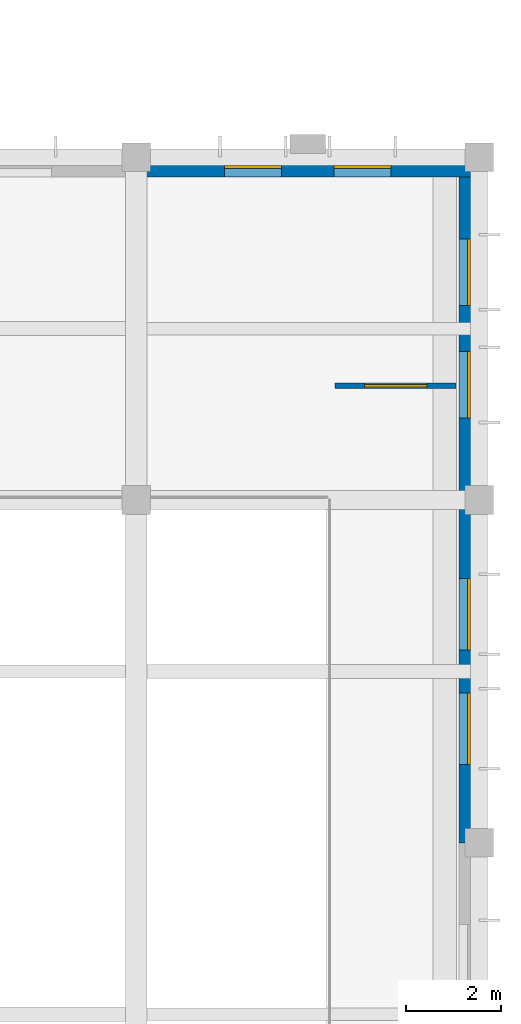
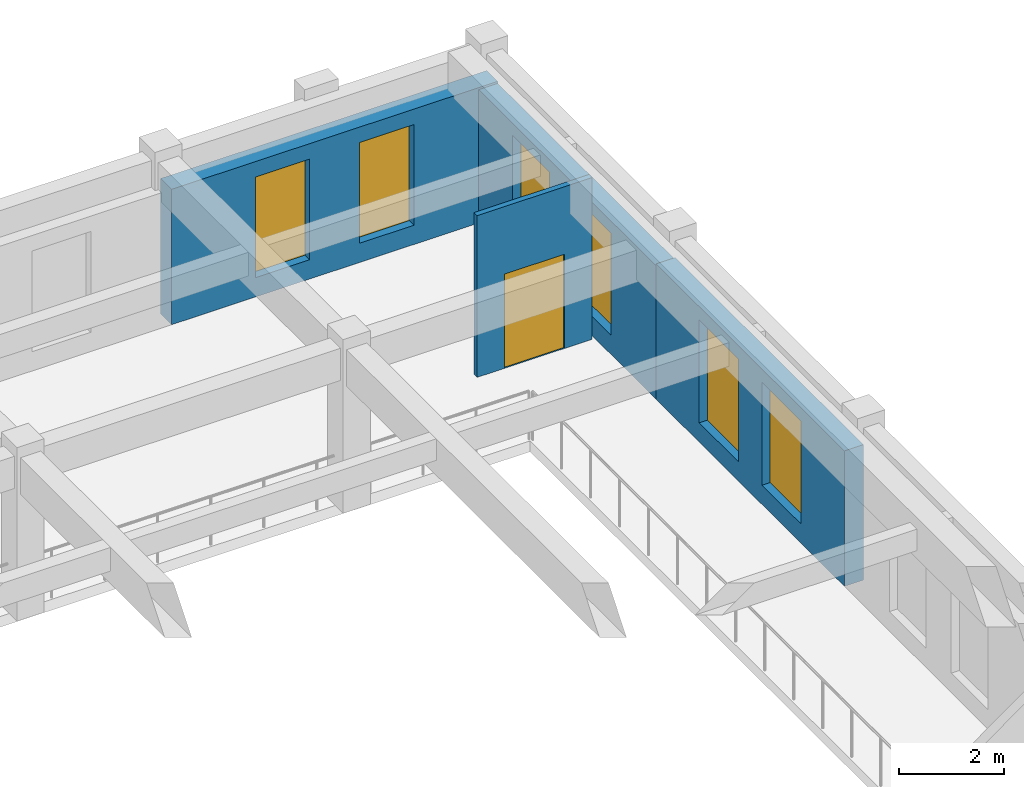
# One storey, part 49 of 88: 6 windows, 4 walls, 1 door, 7 openings.
"""IFC4 building model written with IfcOpenShell, lengths in metres."""

import ifcopenshell
import ifcopenshell.guid

model = None  # the IFC model being written
_history = None  # IfcOwnerHistory: only IFC2X3 demands one
_inside = {}  # id of a spatial element -> (the spatial element, [elements in it])
_under = {}  # id of a project, library or spatial element -> (it, [spatial elements below it])
_declared = {}  # id of a project -> (the project, [libraries it declares])
_typed = {}  # id of a type object -> (the type object, [elements of that type])
_made_of = {}  # id of a material, layer set ... -> (it, [elements and type objects made of it])


def new_model(schema):
    """Start an empty IFC model of exactly this schema.

    Asked for "IFC4X3", IfcOpenShell would pick the latest addendum, in which some entities
    have other attributes; the version numbers below select the first issue.
    IFC2X3 requires an IfcOwnerHistory on every rooted entity: one is made here for all.
    """
    global model, _history
    if schema == "IFC4X3":
        model = ifcopenshell.file(schema_version=(4, 3, 0, 0))
    else:
        model = ifcopenshell.file(schema=schema)
    _inside.clear()
    _under.clear()
    _declared.clear()
    _typed.clear()
    _made_of.clear()
    _history = None
    if model.schema == "IFC2X3":
        org = make("IfcOrganization", Name="unknown")
        user = make(
            "IfcPersonAndOrganization",
            ThePerson=make("IfcPerson", FamilyName="unknown"),
            TheOrganization=org,
        )
        app = make(
            "IfcApplication",
            ApplicationDeveloper=org,
            Version="unknown",
            ApplicationFullName="unknown",
            ApplicationIdentifier="unknown",
        )
        _history = make(
            "IfcOwnerHistory",
            OwningUser=user,
            OwningApplication=app,
            ChangeAction="ADDED",
            CreationDate=0,
        )
    return model


def make(cls, **values):
    """One entity of the class cls with the attributes given. An attribute that is None is left unset."""
    return model.create_entity(
        cls, **{name: value for name, value in values.items() if value is not None}
    )


def rooted(cls, **values):
    """An entity with a GlobalId (a new one), such as an element, a storey or a relation."""
    return make(cls, GlobalId=ifcopenshell.guid.new(), OwnerHistory=_history, **values)


def si_unit(unit_type, name, prefix=None):
    """IfcSIUnit, for example si_unit("LENGTHUNIT", "METRE", prefix="MILLI")."""
    return make("IfcSIUnit", UnitType=unit_type, Prefix=prefix, Name=name)


def assignment(units):
    """IfcUnitAssignment: the units of a project."""
    return None if units is None else make("IfcUnitAssignment", Units=units)


def point(xyz):
    """IfcCartesianPoint."""
    return None if xyz is None else make("IfcCartesianPoint", Coordinates=xyz)


def direction(xyz):
    """IfcDirection."""
    return None if xyz is None else make("IfcDirection", DirectionRatios=xyz)


def frame(location, z_axis=None, x_axis=None):
    """IfcAxis2Placement3D, a coordinate frame: its origin and axes. An axis left out is left unset."""
    return make(
        "IfcAxis2Placement3D",
        Location=point(location),
        Axis=direction(z_axis),
        RefDirection=direction(x_axis),
    )


def frame_2d(location, x_axis=None):
    """IfcAxis2Placement2D, a coordinate frame in the plane: its origin and x axis."""
    return make(
        "IfcAxis2Placement2D", Location=point(location), RefDirection=direction(x_axis)
    )


def origin():
    """The frame at (0, 0, 0) with its axes left unset."""
    return frame((0.0, 0.0, 0.0))


def place(relative_to, where):
    """IfcLocalPlacement: puts the frame where relative to a parent placement (None: the world)."""
    return make(
        "IfcLocalPlacement", PlacementRelTo=relative_to, RelativePlacement=where
    )


def context(
    kind, dimensions, precision=None, world=None, true_north=None, identifier=None
):
    """IfcGeometricRepresentationContext, for example the 3D "Model" context."""
    return make(
        "IfcGeometricRepresentationContext",
        ContextIdentifier=identifier,
        ContextType=kind,
        CoordinateSpaceDimension=dimensions,
        Precision=precision,
        WorldCoordinateSystem=world,
        TrueNorth=true_north,
    )


def subcontext(parent, identifier, kind, view, scale=None):
    """IfcGeometricRepresentationSubContext, for example "Body" below "Model"."""
    return make(
        "IfcGeometricRepresentationSubContext",
        ContextIdentifier=identifier,
        ContextType=kind,
        ParentContext=parent,
        TargetScale=scale,
        TargetView=view,
    )


def project(units=None, contexts=None):
    """IfcProject with its units and contexts."""
    return rooted(
        "IfcProject",
        Name="project",
        RepresentationContexts=contexts,
        UnitsInContext=assignment(units),
    )


def spatial(cls, under=None, at=None, **own):
    """A site, building, storey or space (cls), placed at a placement, below another one or the project."""
    s = rooted(cls, ObjectPlacement=at, **own)
    if under is not None:
        _under.setdefault(under.id(), (under, []))[1].append(s)
    return s


def profile(cls, at=None, kind="AREA", **sizes):
    """A parametric profile (cls). Its sizes go by their IFC names, for example OverallWidth=200.0."""
    return make(cls, ProfileType=kind, Position=at, **sizes)


def rectangle(**sizes):
    """IfcRectangleProfileDef."""
    return profile("IfcRectangleProfileDef", **sizes)


def extrude(swept, where, along, depth):
    """IfcExtrudedAreaSolid: the profile swept, set in the frame where, extruded along a direction by depth."""
    return make(
        "IfcExtrudedAreaSolid",
        SweptArea=swept,
        Position=where,
        ExtrudedDirection=direction(along),
        Depth=depth,
    )


def shape(context_of_items, identifier, shape_type, items):
    """IfcShapeRepresentation: the items that make up one representation, for example the "Body"."""
    return make(
        "IfcShapeRepresentation",
        ContextOfItems=context_of_items,
        RepresentationIdentifier=identifier,
        RepresentationType=shape_type,
        Items=items,
    )


def material(Name=None, Category=None):
    """IfcMaterial."""
    return make("IfcMaterial", Name=Name, Category=Category)


def layer(
    of_material, thickness, ventilated=None, Name=None, Category=None, Priority=None
):
    """IfcMaterialLayer: one layer of a wall or slab, of a material (None: an air gap)."""
    return make(
        "IfcMaterialLayer",
        Material=of_material,
        LayerThickness=thickness,
        IsVentilated=ventilated,
        Name=Name,
        Category=Category,
        Priority=Priority,
    )


def layer_set(layers, Name=None):
    """IfcMaterialLayerSet."""
    return make("IfcMaterialLayerSet", MaterialLayers=layers, LayerSetName=Name)


def made_of(thing, what):
    """Note that an element or type object is made of a material, layer set ...; save() writes the relation."""
    if what is not None:
        _made_of.setdefault(what.id(), (what, []))[1].append(thing)
    return thing


def type_object(cls, material=None, **own):
    """A type object (cls), such as IfcWallType, which elements share."""
    return made_of(rooted(cls, **own), material)


def element(
    cls,
    number,
    at=None,
    inside=None,
    cuts=None,
    type_object=None,
    material=None,
    context=None,
    identifier="Body",
    shape_type=None,
    held_by="IfcProductDefinitionShape",
    body=None,
    shapes=None,
    **own,
):
    """One element of the class cls, such as IfcWall. Its Tag is "e" and its number.

    at: its placement. inside: the storey or other place that contains it. cuts: it is an
    opening in that element (IfcRelVoidsElement). A single representation is given by context,
    identifier, shape_type and body (its items); several are given by shapes. held_by: the class
    of the entity that holds the representations. save() writes the other relations.
    """
    e = rooted(cls, Tag="e%d" % number, ObjectPlacement=at, **own)
    if body is not None:
        shapes = [shape(context, identifier, shape_type, body)]
    if shapes is not None:
        e.Representation = make(held_by, Representations=shapes)
    if inside is not None:
        _inside.setdefault(inside.id(), (inside, []))[1].append(e)
    if cuts is not None:
        rooted(
            "IfcRelVoidsElement", RelatingBuildingElement=cuts, RelatedOpeningElement=e
        )
    if type_object is not None:
        _typed.setdefault(type_object.id(), (type_object, []))[1].append(e)
    return made_of(e, material)


def fill(opening, filler):
    """IfcRelFillsElement: the door or window that sits in an opening."""
    return rooted(
        "IfcRelFillsElement",
        RelatingOpeningElement=opening,
        RelatedBuildingElement=filler,
    )


def aggregate(whole, parts):
    """IfcRelAggregates: a whole, such as a stair, and the parts it consists of."""
    return rooted("IfcRelAggregates", RelatingObject=whole, RelatedObjects=parts)


def save(model, path):
    """Write the relations noted so far, then the file.

    IfcRelAggregates (storeys below a building ...), IfcRelContainedInSpatialStructure (elements
    in a storey), IfcRelDefinesByType, IfcRelAssociatesMaterial and IfcRelDeclares: one each for
    every whole, place, type object, material and project.
    """
    for whole, parts in _under.values():
        aggregate(whole, parts)
    for where, things in _inside.values():
        rooted(
            "IfcRelContainedInSpatialStructure",
            RelatedElements=things,
            RelatingStructure=where,
        )
    for kind, things in _typed.values():
        rooted("IfcRelDefinesByType", RelatedObjects=things, RelatingType=kind)
    for what, things in _made_of.values():
        rooted("IfcRelAssociatesMaterial", RelatedObjects=things, RelatingMaterial=what)
    for by, libraries in _declared.values():
        rooted("IfcRelDeclares", RelatingContext=by, RelatedDefinitions=libraries)
    model.write(path)


model = new_model("IFC4")

# Units and contexts
model_context = context("Model", 3, precision=1e-05, world=origin(), true_north=direction((0.0, 1.0)))
body_context = subcontext(model_context, "Body", "Model", "MODEL_VIEW")
ifc_project = project(units=[si_unit("LENGTHUNIT", "METRE"), si_unit("AREAUNIT", "SQUARE_METRE"), si_unit("VOLUMEUNIT", "CUBIC_METRE"), si_unit("PLANEANGLEUNIT", "RADIAN"), si_unit("MASSUNIT", "GRAM", prefix="KILO")], contexts=[model_context])

# Site, building, storey
site_placement = place(None, origin())
site = spatial("IfcSite", under=ifc_project, at=site_placement, CompositionType="ELEMENT")
building_placement = place(site_placement, origin())
building = spatial("IfcBuilding", under=site, at=building_placement, Name="Alvorim Cloister Faculty of Sciences", CompositionType="ELEMENT")
storey_placement = place(building_placement, frame((0.0, 0.0, 4.5)))
storey = spatial("IfcBuildingStorey", under=building, at=storey_placement, Name="L01", CompositionType="ELEMENT", Elevation=4.5)

# Wall, openings, windows
ifc_material_1 = material(Name="Maua Grey Granite Stone", Category="masonry")
ifc_layer_1 = layer(ifc_material_1, 0.419921875)
ifc_layer_set_1 = layer_set([ifc_layer_1], Name="Maua Grey Granite Stone")
wall_type_1 = type_object("IfcWallType", Name="WL-EXT-GRN-420", PredefinedType="SOLIDWALL", material=ifc_layer_set_1)
wall_1_placement = place(storey_placement, frame((158.39990234375, 28.590087890625, 0.0), z_axis=(0.0, 0.0, 1.0), x_axis=(1.0, 0.0, 0.0)))
wall_1 = element("IfcWall", 1, at=wall_1_placement, inside=storey, type_object=wall_type_1, Name="L01 Exterior Wall WL-0138", PredefinedType="SOLIDWALL", context=body_context, shape_type="SweptSolid", body=[
    extrude(rectangle(XDim=7.2001953125, YDim=0.419921875, at=frame_2d((3.60009765625, 0.0))), origin(), (0.0, 0.0, 1.0), 3.159912109375),
])
opening_1_placement = place(wall_1_placement, frame((1.85009765625, 0.0, 0.449951171875)))
opening_1 = element("IfcOpeningElement", 2, at=opening_1_placement, cuts=wall_1, Name="Opening W-22", PredefinedType="OPENING", context=body_context, shape_type="SweptSolid", body=[
    extrude(rectangle(XDim=1.199951171875, YDim=2.35009765625, at=frame_2d((0.60009765625, 1.175048828125))), frame((0.0, 0.221923828125, 0.0), z_axis=(0.0, -1.0, 0.0), x_axis=(1.0, 0.0, 0.0)), (0.0, 0.0, 1.0), 0.44384765625),
])
opening_2_placement = place(wall_1_placement, frame((4.14990234375, 0.0, 0.449951171875)))
opening_2 = element("IfcOpeningElement", 3, at=opening_2_placement, cuts=wall_1, Name="Opening W-22", PredefinedType="OPENING", context=body_context, shape_type="SweptSolid", body=[
    extrude(rectangle(XDim=1.199951171875, YDim=2.35009765625, at=frame_2d((0.60009765625, 1.175048828125))), frame((0.0, 0.221923828125, 0.0), z_axis=(0.0, -1.0, 0.0), x_axis=(1.0, 0.0, 0.0)), (0.0, 0.0, 1.0), 0.44384765625),
])
ifc_material_2 = material(Name="Double Low-E Laminated Glass", Category="glass")
window_type_1 = type_object("IfcWindowType", Name="WN-OFF-1200x2350", PartitioningType="SINGLE_PANEL", PredefinedType="WINDOW", material=ifc_material_2)
window_1_placement = place(opening_1_placement, origin())
window_1 = element("IfcWindow", 4, at=window_1_placement, inside=storey, type_object=window_type_1, Name="L01 Gothic Lancet Window WN-0192", OverallHeight=2.35009765625, OverallWidth=1.199951171875, PartitioningType="SINGLE_PANEL", PredefinedType="WINDOW", context=body_context, shape_type="SweptSolid", body=[
    extrude(rectangle(XDim=1.199951171875, YDim=2.35009765625, at=frame_2d((0.60009765625, 1.175048828125))), frame((0.0, 0.030029296875, 0.0), z_axis=(0.0, -1.0, 0.0), x_axis=(1.0, 0.0, 0.0)), (0.0, 0.0, 1.0), 0.06005859375),
])
fill(opening_1, window_1)
window_2_placement = place(opening_2_placement, origin())
window_2 = element("IfcWindow", 5, at=window_2_placement, inside=storey, type_object=window_type_1, Name="L01 Gothic Lancet Window WN-0193", OverallHeight=2.35009765625, OverallWidth=1.199951171875, PartitioningType="SINGLE_PANEL", PredefinedType="WINDOW", context=body_context, shape_type="SweptSolid", body=[
    extrude(rectangle(XDim=1.199951171875, YDim=2.35009765625, at=frame_2d((0.60009765625, 1.175048828125))), frame((0.0, 0.030029296875, 0.0), z_axis=(0.0, -1.0, 0.0), x_axis=(1.0, 0.0, 0.0)), (0.0, 0.0, 1.0), 0.06005859375),
])
fill(opening_2, window_2)

wall_2_placement = place(storey_placement, frame((165.389892578125, 21.60009765625, 0.0), z_axis=(0.0, 0.0, 1.0), x_axis=(0.0, 1.0, 0.0)))
wall_2 = element("IfcWall", 6, at=wall_2_placement, inside=storey, type_object=wall_type_1, Name="L01 Exterior Wall WL-0139", PredefinedType="SOLIDWALL", context=body_context, shape_type="SweptSolid", body=[
    extrude(rectangle(XDim=7.199951171875, YDim=0.419921875, at=frame_2d((3.60009765625, 0.0))), origin(), (0.0, 0.0, 1.0), 3.114013671875),
])
opening_3_placement = place(wall_2_placement, frame((1.716796875, 0.0, 0.449951171875)))
opening_3 = element("IfcOpeningElement", 7, at=opening_3_placement, cuts=wall_2, Name="Opening W-20", PredefinedType="OPENING", context=body_context, shape_type="SweptSolid", body=[
    extrude(rectangle(XDim=1.39990234375, YDim=2.3798828125, at=frame_2d((0.699951171875, 1.18994140625))), frame((0.0, 0.221923828125, 0.0), z_axis=(0.0, -1.0, 0.0), x_axis=(1.0, 0.0, 0.0)), (0.0, 0.0, 1.0), 0.44384765625),
])
opening_4_placement = place(wall_2_placement, frame((4.083251953125, 0.0, 0.449951171875)))
opening_4 = element("IfcOpeningElement", 8, at=opening_4_placement, cuts=wall_2, Name="Opening W-20", PredefinedType="OPENING", context=body_context, shape_type="SweptSolid", body=[
    extrude(rectangle(XDim=1.39990234375, YDim=2.3798828125, at=frame_2d((0.699951171875, 1.18994140625))), frame((0.0, 0.221923828125, 0.0), z_axis=(0.0, -1.0, 0.0), x_axis=(1.0, 0.0, 0.0)), (0.0, 0.0, 1.0), 0.44384765625),
])
window_type_2 = type_object("IfcWindowType", Name="WN-OFF-1400x2380", PartitioningType="SINGLE_PANEL", PredefinedType="WINDOW", material=ifc_material_2)
window_3_placement = place(opening_3_placement, origin())
window_3 = element("IfcWindow", 9, at=window_3_placement, inside=storey, type_object=window_type_2, Name="L01 Gothic Lancet Window WN-0194", OverallHeight=2.3798828125, OverallWidth=1.39990234375, PartitioningType="SINGLE_PANEL", PredefinedType="WINDOW", context=body_context, shape_type="SweptSolid", body=[
    extrude(rectangle(XDim=1.39990234375, YDim=2.3798828125, at=frame_2d((0.699951171875, 1.18994140625))), frame((0.0, 0.030029296875, 0.0), z_axis=(0.0, -1.0, 0.0), x_axis=(1.0, 0.0, 0.0)), (0.0, 0.0, 1.0), 0.06005859375),
])
fill(opening_3, window_3)
window_4_placement = place(opening_4_placement, origin())
window_4 = element("IfcWindow", 10, at=window_4_placement, inside=storey, type_object=window_type_2, Name="L01 Gothic Lancet Window WN-0195", OverallHeight=2.3798828125, OverallWidth=1.39990234375, PartitioningType="SINGLE_PANEL", PredefinedType="WINDOW", context=body_context, shape_type="SweptSolid", body=[
    extrude(rectangle(XDim=1.39990234375, YDim=2.3798828125, at=frame_2d((0.699951171875, 1.18994140625))), frame((0.0, 0.030029296875, 0.0), z_axis=(0.0, -1.0, 0.0), x_axis=(1.0, 0.0, 0.0)), (0.0, 0.0, 1.0), 0.06005859375),
])
fill(opening_4, window_4)

wall_3_placement = place(storey_placement, frame((165.389892578125, 14.39990234375, 0.0), z_axis=(0.0, 0.0, 1.0), x_axis=(0.0, 1.0, 0.0)))
wall_3 = element("IfcWall", 11, at=wall_3_placement, inside=storey, type_object=wall_type_1, Name="L01 Exterior Wall WL-0140", PredefinedType="SOLIDWALL", context=body_context, shape_type="SweptSolid", body=[
    extrude(rectangle(XDim=7.2001953125, YDim=0.419921875, at=frame_2d((3.60009765625, 0.0))), origin(), (0.0, 0.0, 1.0), 3.159912109375),
])
opening_5_placement = place(wall_3_placement, frame((1.64990234375, 0.0, 0.449951171875)))
opening_5 = element("IfcOpeningElement", 12, at=opening_5_placement, cuts=wall_3, Name="Opening W-19", PredefinedType="OPENING", context=body_context, shape_type="SweptSolid", body=[
    extrude(rectangle(XDim=1.5, YDim=2.39990234375, at=frame_2d((0.75, 1.199951171875))), frame((0.0, 0.221923828125, 0.0), z_axis=(0.0, -1.0, 0.0), x_axis=(1.0, 0.0, 0.0)), (0.0, 0.0, 1.0), 0.44384765625),
])
opening_6_placement = place(wall_3_placement, frame((4.050048828125, 0.0, 0.449951171875)))
opening_6 = element("IfcOpeningElement", 13, at=opening_6_placement, cuts=wall_3, Name="Opening W-19", PredefinedType="OPENING", context=body_context, shape_type="SweptSolid", body=[
    extrude(rectangle(XDim=1.5, YDim=2.39990234375, at=frame_2d((0.75, 1.199951171875))), frame((0.0, 0.221923828125, 0.0), z_axis=(0.0, -1.0, 0.0), x_axis=(1.0, 0.0, 0.0)), (0.0, 0.0, 1.0), 0.44384765625),
])
window_type_3 = type_object("IfcWindowType", Name="WN-OFF-1500x2400", PartitioningType="SINGLE_PANEL", PredefinedType="WINDOW", material=ifc_material_2)
window_5_placement = place(opening_5_placement, origin())
window_5 = element("IfcWindow", 14, at=window_5_placement, inside=storey, type_object=window_type_3, Name="L01 Gothic Lancet Window WN-0196", OverallHeight=2.39990234375, OverallWidth=1.5, PartitioningType="SINGLE_PANEL", PredefinedType="WINDOW", context=body_context, shape_type="SweptSolid", body=[
    extrude(rectangle(XDim=1.5, YDim=2.39990234375, at=frame_2d((0.75, 1.199951171875))), frame((0.0, 0.030029296875, 0.0), z_axis=(0.0, -1.0, 0.0), x_axis=(1.0, 0.0, 0.0)), (0.0, 0.0, 1.0), 0.06005859375),
])
fill(opening_5, window_5)
window_6_placement = place(opening_6_placement, origin())
window_6 = element("IfcWindow", 15, at=window_6_placement, inside=storey, type_object=window_type_3, Name="L01 Gothic Lancet Window WN-0197", OverallHeight=2.39990234375, OverallWidth=1.5, PartitioningType="SINGLE_PANEL", PredefinedType="WINDOW", context=body_context, shape_type="SweptSolid", body=[
    extrude(rectangle(XDim=1.5, YDim=2.39990234375, at=frame_2d((0.75, 1.199951171875))), frame((0.0, 0.030029296875, 0.0), z_axis=(0.0, -1.0, 0.0), x_axis=(1.0, 0.0, 0.0)), (0.0, 0.0, 1.0), 0.06005859375),
])
fill(opening_6, window_6)

# Wall, opening, door
ifc_material_3 = material(Name="Acoustic Gypsum Stud Partition", Category="gypsum")
ifc_layer_2 = layer(ifc_material_3, 0.1201171875)
ifc_layer_set_2 = layer_set([ifc_layer_2], Name="Acoustic Gypsum Stud Partition")
wall_type_2 = type_object("IfcWallType", Name="WL-PRT-120", PredefinedType="PARTITIONING", material=ifc_layer_set_2)
wall_4_placement = place(storey_placement, frame((162.580078125, 24.0, 0.0), z_axis=(0.0, 0.0, 1.0), x_axis=(1.0, 0.0, 0.0)))
wall_4 = element("IfcWall", 16, at=wall_4_placement, inside=storey, type_object=wall_type_2, Name="L01 East Tympanum Seminar Gallery Partition IWL-0538", PredefinedType="PARTITIONING", context=body_context, shape_type="SweptSolid", body=[
    extrude(rectangle(XDim=2.5400390625, YDim=0.1201171875, at=frame_2d((1.27001953125, 0.0))), origin(), (0.0, 0.0, 1.0), 3.77490234375),
])
opening_7_placement = place(wall_4_placement, frame((0.610107421875, 0.0, 0.0)))
opening_7 = element("IfcOpeningElement", 17, at=opening_7_placement, cuts=wall_4, Name="Opening D-L01-120", PredefinedType="OPENING", context=body_context, shape_type="SweptSolid", body=[
    extrude(rectangle(XDim=1.320068359375, YDim=2.199951171875, at=frame_2d((0.66015625, 1.10009765625))), frame((0.0, 0.072021484375, 0.0), z_axis=(0.0, -1.0, 0.0), x_axis=(1.0, 0.0, 0.0)), (0.0, 0.0, 1.0), 0.14404296875),
])
ifc_material_4 = material(Name="Solid Acoustic Oak Timber", Category="wood")
door_type = type_object("IfcDoorType", Name="DR-SEM-1320x2200", OperationType="NOTDEFINED", PredefinedType="DOOR", material=ifc_material_4)
door_placement = place(opening_7_placement, origin())
door = element("IfcDoor", 18, at=door_placement, inside=storey, type_object=door_type, Name="East Tympanum Seminar Gallery Door D-L01-120", OperationType="SINGLE_SWING_LEFT", OverallHeight=2.199951171875, OverallWidth=1.320068359375, PredefinedType="DOOR", context=body_context, shape_type="SweptSolid", body=[
    extrude(rectangle(XDim=1.320068359375, YDim=2.199951171875, at=frame_2d((0.66015625, 1.10009765625))), frame((0.0, 0.02490234375, 0.0), z_axis=(0.0, -1.0, 0.0), x_axis=(1.0, 0.0, 0.0)), (0.0, 0.0, 1.0), 0.050048828125),
])
fill(opening_7, door)

save(model, "model.ifc")
